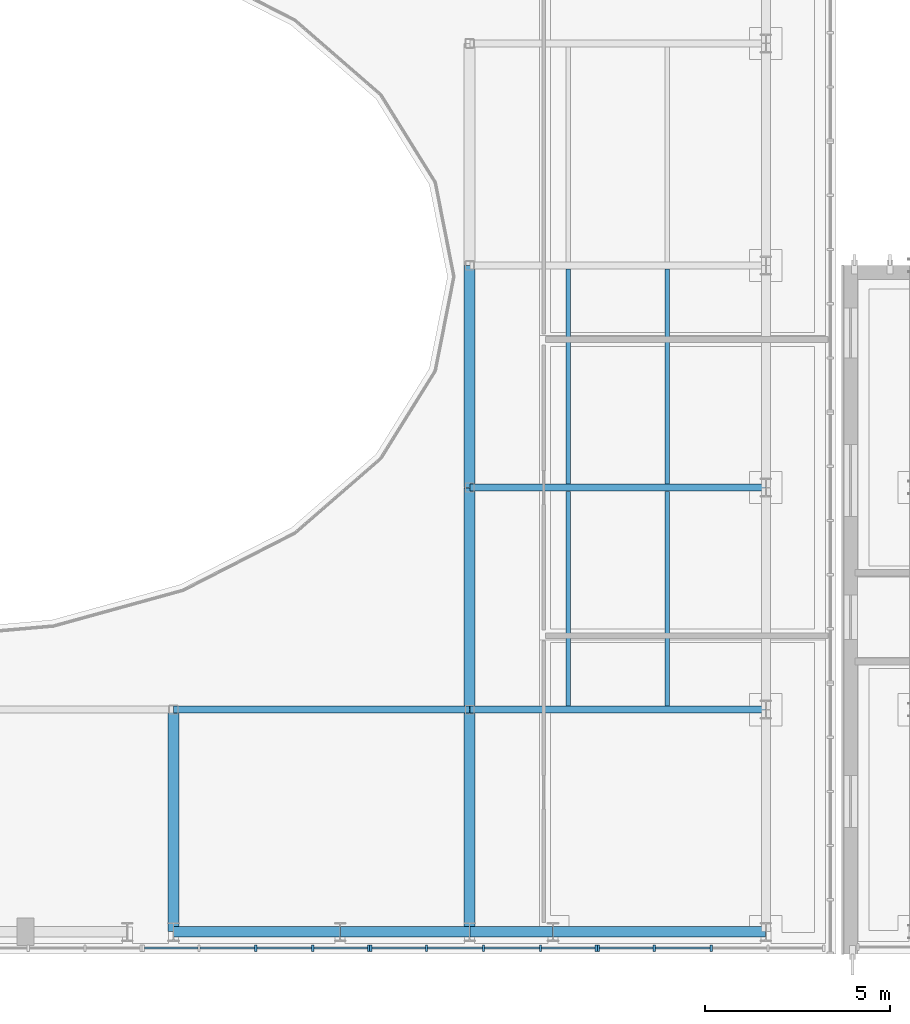
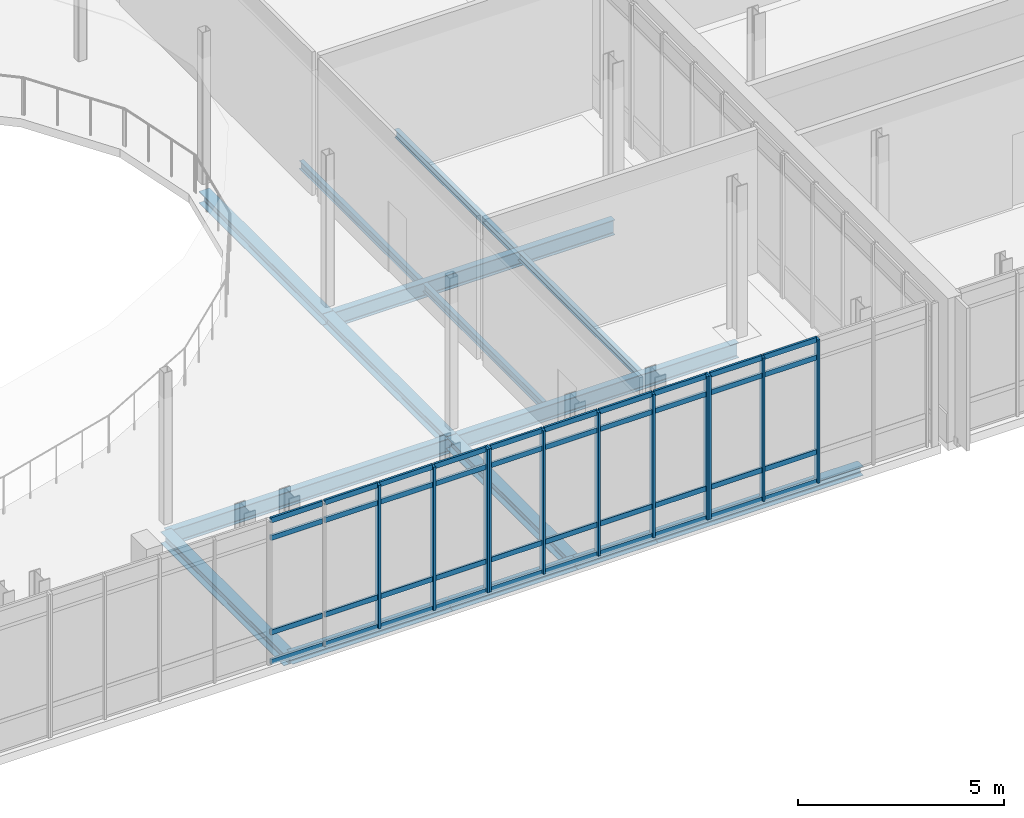
# One storey, part 28 of 100: 51 members, 15 beams, 3 elements without a shape of their own.
"""IFC4 building model written with IfcOpenShell, lengths in metres."""

from ifc_helpers import new_model, si_unit, direction, frame, origin, origin_2d, place, context, subcontext, project, spatial, rectangle, i_section, extrude, material, material_profile, profile_set, type_object, element, aggregate, save


model = new_model("IFC4")

# Units and contexts
model_context = context("Model", 3, precision=1e-05, world=origin(), true_north=direction((0.0, 1.0)))
body_context = subcontext(model_context, "Body", "Model", "MODEL_VIEW")
ifc_project = project(units=[si_unit("LENGTHUNIT", "METRE"), si_unit("AREAUNIT", "SQUARE_METRE"), si_unit("VOLUMEUNIT", "CUBIC_METRE"), si_unit("PLANEANGLEUNIT", "RADIAN"), si_unit("MASSUNIT", "GRAM", prefix="KILO")], contexts=[model_context])

# Site, building, storey
site_placement = place(None, origin())
site = spatial("IfcSite", under=ifc_project, at=site_placement, CompositionType="ELEMENT")
building_placement = place(site_placement, origin())
building = spatial("IfcBuilding", under=site, at=building_placement, Name="Cymarion Research Institute", CompositionType="ELEMENT")
storey_placement = place(building_placement, frame((0.0, 0.0, 9.300048828125)))
storey = spatial("IfcBuildingStorey", under=building, at=storey_placement, Name="L02", CompositionType="ELEMENT", Elevation=9.300048828125)

# Curtain wall, members
ifc_material_1 = material(Name="Anodised aluminium unitised curtain wall with Low-E glazing", Category="aluminium")
curtain_wall_type = type_object("IfcCurtainWallType", Name="UNITISED CURTAIN WALL CW07 6150X4250", PredefinedType="NOTDEFINED", material=ifc_material_1)
curtain_wall_1_placement = place(storey_placement, origin())
curtain_wall_1 = element("IfcCurtainWall", 1, at=curtain_wall_1_placement, inside=storey, type_object=curtain_wall_type, Name="L02 V2 unitised curtain wall CW07 #75", PredefinedType="NOTDEFINED")
ifc_material_2 = material(Name="Anodised aluminium framing", Category="aluminium")
ifc_material_profile_1 = material_profile(ifc_material_2, rectangle(XDim=0.06005859375, YDim=0.179931640625, at=origin_2d()), Name="ALU MULLION 60x180")
ifc_profile_set_1 = profile_set([ifc_material_profile_1], Name="Anodised aluminium framing")
member_type_1 = type_object("IfcMemberType", Name="CURTAIN WALL MULLION ML01 60X180", PredefinedType="MULLION", material=ifc_profile_set_1)
member_1_placement = place(storey_placement, frame((88.82421875, 5.06005859375, 0.0), z_axis=(0.0, 0.0, 1.0), x_axis=(1.0, 0.0, 0.0)))
member_1 = element("IfcMember", 2, at=member_1_placement, type_object=member_type_1, Name="CW07 mullion 3", PredefinedType="MULLION", context=body_context, shape_type="SweptSolid", body=[
    extrude(rectangle(XDim=0.06005859375, YDim=0.179931640625, at=origin_2d()), origin(), (0.0, 0.0, 1.0), 4.25),
])
member_2_placement = place(storey_placement, frame((90.361572265625, 5.06005859375, 0.0), z_axis=(0.0, 0.0, 1.0), x_axis=(1.0, 0.0, 0.0)))
member_2 = element("IfcMember", 3, at=member_2_placement, type_object=member_type_1, Name="CW07 mullion 4", PredefinedType="MULLION", context=body_context, shape_type="SweptSolid", body=[
    extrude(rectangle(XDim=0.06005859375, YDim=0.179931640625, at=origin_2d()), origin(), (0.0, 0.0, 1.0), 4.25),
])
member_3_placement = place(storey_placement, frame((91.868896484375, 5.06005859375, 0.0), z_axis=(0.0, 0.0, 1.0), x_axis=(1.0, 0.0, 0.0)))
member_3 = element("IfcMember", 4, at=member_3_placement, type_object=member_type_1, Name="CW07 mullion 5", PredefinedType="MULLION", context=body_context, shape_type="SweptSolid", body=[
    extrude(rectangle(XDim=0.06005859375, YDim=0.179931640625, at=origin_2d()), origin(), (0.0, 0.0, 1.0), 4.25),
])

curtain_wall_2_placement = place(storey_placement, origin())
curtain_wall_2 = element("IfcCurtainWall", 5, at=curtain_wall_2_placement, inside=storey, type_object=curtain_wall_type, Name="L02 V2 unitised curtain wall CW07 #76", PredefinedType="NOTDEFINED")
member_4_placement = place(storey_placement, frame((91.928955078125, 5.06005859375, 0.0), z_axis=(0.0, 0.0, 1.0), x_axis=(1.0, 0.0, 0.0)))
member_4 = element("IfcMember", 6, at=member_4_placement, type_object=member_type_1, Name="CW07 mullion 1", PredefinedType="MULLION", context=body_context, shape_type="SweptSolid", body=[
    extrude(rectangle(XDim=0.06005859375, YDim=0.179931640625, at=origin_2d()), origin(), (0.0, 0.0, 1.0), 4.25),
])
member_5_placement = place(storey_placement, frame((93.436279296875, 5.06005859375, 0.0), z_axis=(0.0, 0.0, 1.0), x_axis=(1.0, 0.0, 0.0)))
member_5 = element("IfcMember", 7, at=member_5_placement, type_object=member_type_1, Name="CW07 mullion 2", PredefinedType="MULLION", context=body_context, shape_type="SweptSolid", body=[
    extrude(rectangle(XDim=0.06005859375, YDim=0.179931640625, at=origin_2d()), origin(), (0.0, 0.0, 1.0), 4.25),
])
member_6_placement = place(storey_placement, frame((94.9736328125, 5.06005859375, 0.0), z_axis=(0.0, 0.0, 1.0), x_axis=(1.0, 0.0, 0.0)))
member_6 = element("IfcMember", 8, at=member_6_placement, type_object=member_type_1, Name="CW07 mullion 3", PredefinedType="MULLION", context=body_context, shape_type="SweptSolid", body=[
    extrude(rectangle(XDim=0.06005859375, YDim=0.179931640625, at=origin_2d()), origin(), (0.0, 0.0, 1.0), 4.25),
])
member_7_placement = place(storey_placement, frame((96.51123046875, 5.06005859375, 0.0), z_axis=(0.0, 0.0, 1.0), x_axis=(1.0, 0.0, 0.0)))
member_7 = element("IfcMember", 9, at=member_7_placement, type_object=member_type_1, Name="CW07 mullion 4", PredefinedType="MULLION", context=body_context, shape_type="SweptSolid", body=[
    extrude(rectangle(XDim=0.06005859375, YDim=0.179931640625, at=origin_2d()), origin(), (0.0, 0.0, 1.0), 4.25),
])
member_8_placement = place(storey_placement, frame((98.0185546875, 5.06005859375, 0.0), z_axis=(0.0, 0.0, 1.0), x_axis=(1.0, 0.0, 0.0)))
member_8 = element("IfcMember", 10, at=member_8_placement, type_object=member_type_1, Name="CW07 mullion 5", PredefinedType="MULLION", context=body_context, shape_type="SweptSolid", body=[
    extrude(rectangle(XDim=0.06005859375, YDim=0.179931640625, at=origin_2d()), origin(), (0.0, 0.0, 1.0), 4.25),
])

curtain_wall_3_placement = place(storey_placement, origin())
curtain_wall_3 = element("IfcCurtainWall", 11, at=curtain_wall_3_placement, inside=storey, type_object=curtain_wall_type, Name="L02 V2 unitised curtain wall CW07 #77", PredefinedType="NOTDEFINED")
member_9_placement = place(storey_placement, frame((98.07861328125, 5.06005859375, 0.0), z_axis=(0.0, 0.0, 1.0), x_axis=(1.0, 0.0, 0.0)))
member_9 = element("IfcMember", 12, at=member_9_placement, type_object=member_type_1, Name="CW07 mullion 1", PredefinedType="MULLION", context=body_context, shape_type="SweptSolid", body=[
    extrude(rectangle(XDim=0.06005859375, YDim=0.179931640625, at=origin_2d()), origin(), (0.0, 0.0, 1.0), 4.25),
])
member_10_placement = place(storey_placement, frame((99.5859375, 5.06005859375, 0.0), z_axis=(0.0, 0.0, 1.0), x_axis=(1.0, 0.0, 0.0)))
member_10 = element("IfcMember", 13, at=member_10_placement, type_object=member_type_1, Name="CW07 mullion 2", PredefinedType="MULLION", context=body_context, shape_type="SweptSolid", body=[
    extrude(rectangle(XDim=0.06005859375, YDim=0.179931640625, at=origin_2d()), origin(), (0.0, 0.0, 1.0), 4.25),
])
member_11_placement = place(storey_placement, frame((101.123291015625, 5.06005859375, 0.0), z_axis=(0.0, 0.0, 1.0), x_axis=(1.0, 0.0, 0.0)))
member_11 = element("IfcMember", 14, at=member_11_placement, type_object=member_type_1, Name="CW07 mullion 3", PredefinedType="MULLION", context=body_context, shape_type="SweptSolid", body=[
    extrude(rectangle(XDim=0.06005859375, YDim=0.179931640625, at=origin_2d()), origin(), (0.0, 0.0, 1.0), 4.25),
])

# Member
ifc_material_profile_2 = material_profile(ifc_material_2, rectangle(XDim=0.06005859375, YDim=0.14990234375, at=origin_2d()), Name="ALU TRANSOM 60x150")
ifc_profile_set_2 = profile_set([ifc_material_profile_2], Name="Anodised aluminium framing")
member_type_2 = type_object("IfcMemberType", Name="CURTAIN WALL TRANSOM TR01 60X150", PredefinedType="USERDEFINED", material=ifc_profile_set_2)
member_12_placement = place(storey_placement, frame((85.8095703125, 5.06005859375, 0.030029296875), z_axis=(1.0, 0.0, 0.0), x_axis=(0.0, 1.0, 0.0)))
member_12 = element("IfcMember", 15, at=member_12_placement, type_object=member_type_2, Name="CW07 transom 1.1", ObjectType="TRANSOM", PredefinedType="USERDEFINED", context=body_context, shape_type="SweptSolid", body=[
    extrude(rectangle(XDim=0.06005859375, YDim=0.14990234375, at=origin_2d()), origin(), (0.0, 0.0, 1.0), 1.447265625),
])

member_13_placement = place(storey_placement, frame((85.8095703125, 5.06005859375, 0.89990234375), z_axis=(1.0, 0.0, 0.0), x_axis=(0.0, 1.0, 0.0)))
member_13 = element("IfcMember", 16, at=member_13_placement, type_object=member_type_2, Name="CW07 transom 1.2", ObjectType="TRANSOM", PredefinedType="USERDEFINED", context=body_context, shape_type="SweptSolid", body=[
    extrude(rectangle(XDim=0.06005859375, YDim=0.14990234375, at=origin_2d()), origin(), (0.0, 0.0, 1.0), 1.447265625),
])

member_14_placement = place(storey_placement, frame((85.8095703125, 5.06005859375, 3.699951171875), z_axis=(1.0, 0.0, 0.0), x_axis=(0.0, 1.0, 0.0)))
member_14 = element("IfcMember", 17, at=member_14_placement, type_object=member_type_2, Name="CW07 transom 1.3", ObjectType="TRANSOM", PredefinedType="USERDEFINED", context=body_context, shape_type="SweptSolid", body=[
    extrude(rectangle(XDim=0.06005859375, YDim=0.14990234375, at=origin_2d()), origin(), (0.0, 0.0, 1.0), 1.447265625),
])

member_15_placement = place(storey_placement, frame((85.8095703125, 5.06005859375, 4.219970703125), z_axis=(1.0, 0.0, 0.0), x_axis=(0.0, 1.0, 0.0)))
member_15 = element("IfcMember", 18, at=member_15_placement, type_object=member_type_2, Name="CW07 transom 1.4", ObjectType="TRANSOM", PredefinedType="USERDEFINED", context=body_context, shape_type="SweptSolid", body=[
    extrude(rectangle(XDim=0.06005859375, YDim=0.14990234375, at=origin_2d()), origin(), (0.0, 0.0, 1.0), 1.447265625),
])

member_16_placement = place(storey_placement, frame((87.31689453125, 5.06005859375, 0.030029296875), z_axis=(1.0, 0.0, 0.0), x_axis=(0.0, 1.0, 0.0)))
member_16 = element("IfcMember", 19, at=member_16_placement, type_object=member_type_2, Name="CW07 transom 2.1", ObjectType="TRANSOM", PredefinedType="USERDEFINED", context=body_context, shape_type="SweptSolid", body=[
    extrude(rectangle(XDim=0.06005859375, YDim=0.14990234375, at=origin_2d()), origin(), (0.0, 0.0, 1.0), 1.477294921875),
])

member_17_placement = place(storey_placement, frame((87.31689453125, 5.06005859375, 0.89990234375), z_axis=(1.0, 0.0, 0.0), x_axis=(0.0, 1.0, 0.0)))
member_17 = element("IfcMember", 20, at=member_17_placement, type_object=member_type_2, Name="CW07 transom 2.2", ObjectType="TRANSOM", PredefinedType="USERDEFINED", context=body_context, shape_type="SweptSolid", body=[
    extrude(rectangle(XDim=0.06005859375, YDim=0.14990234375, at=origin_2d()), origin(), (0.0, 0.0, 1.0), 1.477294921875),
])

member_18_placement = place(storey_placement, frame((87.31689453125, 5.06005859375, 3.699951171875), z_axis=(1.0, 0.0, 0.0), x_axis=(0.0, 1.0, 0.0)))
member_18 = element("IfcMember", 21, at=member_18_placement, type_object=member_type_2, Name="CW07 transom 2.3", ObjectType="TRANSOM", PredefinedType="USERDEFINED", context=body_context, shape_type="SweptSolid", body=[
    extrude(rectangle(XDim=0.06005859375, YDim=0.14990234375, at=origin_2d()), origin(), (0.0, 0.0, 1.0), 1.477294921875),
])

member_19_placement = place(storey_placement, frame((87.31689453125, 5.06005859375, 4.219970703125), z_axis=(1.0, 0.0, 0.0), x_axis=(0.0, 1.0, 0.0)))
member_19 = element("IfcMember", 22, at=member_19_placement, type_object=member_type_2, Name="CW07 transom 2.4", ObjectType="TRANSOM", PredefinedType="USERDEFINED", context=body_context, shape_type="SweptSolid", body=[
    extrude(rectangle(XDim=0.06005859375, YDim=0.14990234375, at=origin_2d()), origin(), (0.0, 0.0, 1.0), 1.477294921875),
])

member_20_placement = place(storey_placement, frame((88.854248046875, 5.06005859375, 0.030029296875), z_axis=(1.0, 0.0, 0.0), x_axis=(0.0, 1.0, 0.0)))
member_20 = element("IfcMember", 23, at=member_20_placement, type_object=member_type_2, Name="CW07 transom 3.1", ObjectType="TRANSOM", PredefinedType="USERDEFINED", context=body_context, shape_type="SweptSolid", body=[
    extrude(rectangle(XDim=0.06005859375, YDim=0.14990234375, at=origin_2d()), origin(), (0.0, 0.0, 1.0), 1.477294921875),
])

member_21_placement = place(storey_placement, frame((88.854248046875, 5.06005859375, 0.89990234375), z_axis=(1.0, 0.0, 0.0), x_axis=(0.0, 1.0, 0.0)))
member_21 = element("IfcMember", 24, at=member_21_placement, type_object=member_type_2, Name="CW07 transom 3.2", ObjectType="TRANSOM", PredefinedType="USERDEFINED", context=body_context, shape_type="SweptSolid", body=[
    extrude(rectangle(XDim=0.06005859375, YDim=0.14990234375, at=origin_2d()), origin(), (0.0, 0.0, 1.0), 1.477294921875),
])

member_22_placement = place(storey_placement, frame((88.854248046875, 5.06005859375, 3.699951171875), z_axis=(1.0, 0.0, 0.0), x_axis=(0.0, 1.0, 0.0)))
member_22 = element("IfcMember", 25, at=member_22_placement, type_object=member_type_2, Name="CW07 transom 3.3", ObjectType="TRANSOM", PredefinedType="USERDEFINED", context=body_context, shape_type="SweptSolid", body=[
    extrude(rectangle(XDim=0.06005859375, YDim=0.14990234375, at=origin_2d()), origin(), (0.0, 0.0, 1.0), 1.477294921875),
])

member_23_placement = place(storey_placement, frame((88.854248046875, 5.06005859375, 4.219970703125), z_axis=(1.0, 0.0, 0.0), x_axis=(0.0, 1.0, 0.0)))
member_23 = element("IfcMember", 26, at=member_23_placement, type_object=member_type_2, Name="CW07 transom 3.4", ObjectType="TRANSOM", PredefinedType="USERDEFINED", context=body_context, shape_type="SweptSolid", body=[
    extrude(rectangle(XDim=0.06005859375, YDim=0.14990234375, at=origin_2d()), origin(), (0.0, 0.0, 1.0), 1.477294921875),
])

member_24_placement = place(storey_placement, frame((90.3916015625, 5.06005859375, 0.030029296875), z_axis=(1.0, 0.0, 0.0), x_axis=(0.0, 1.0, 0.0)))
member_24 = element("IfcMember", 27, at=member_24_placement, type_object=member_type_2, Name="CW07 transom 4.1", ObjectType="TRANSOM", PredefinedType="USERDEFINED", context=body_context, shape_type="SweptSolid", body=[
    extrude(rectangle(XDim=0.06005859375, YDim=0.14990234375, at=origin_2d()), origin(), (0.0, 0.0, 1.0), 1.447509765625),
])

member_25_placement = place(storey_placement, frame((90.3916015625, 5.06005859375, 0.89990234375), z_axis=(1.0, 0.0, 0.0), x_axis=(0.0, 1.0, 0.0)))
member_25 = element("IfcMember", 28, at=member_25_placement, type_object=member_type_2, Name="CW07 transom 4.2", ObjectType="TRANSOM", PredefinedType="USERDEFINED", context=body_context, shape_type="SweptSolid", body=[
    extrude(rectangle(XDim=0.06005859375, YDim=0.14990234375, at=origin_2d()), origin(), (0.0, 0.0, 1.0), 1.447509765625),
])

member_26_placement = place(storey_placement, frame((90.3916015625, 5.06005859375, 3.699951171875), z_axis=(1.0, 0.0, 0.0), x_axis=(0.0, 1.0, 0.0)))
member_26 = element("IfcMember", 29, at=member_26_placement, type_object=member_type_2, Name="CW07 transom 4.3", ObjectType="TRANSOM", PredefinedType="USERDEFINED", context=body_context, shape_type="SweptSolid", body=[
    extrude(rectangle(XDim=0.06005859375, YDim=0.14990234375, at=origin_2d()), origin(), (0.0, 0.0, 1.0), 1.447509765625),
])

member_27_placement = place(storey_placement, frame((90.3916015625, 5.06005859375, 4.219970703125), z_axis=(1.0, 0.0, 0.0), x_axis=(0.0, 1.0, 0.0)))
member_27 = element("IfcMember", 30, at=member_27_placement, type_object=member_type_2, Name="CW07 transom 4.4", ObjectType="TRANSOM", PredefinedType="USERDEFINED", context=body_context, shape_type="SweptSolid", body=[
    extrude(rectangle(XDim=0.06005859375, YDim=0.14990234375, at=origin_2d()), origin(), (0.0, 0.0, 1.0), 1.447509765625),
])

aggregate(curtain_wall_1, [member_1, member_2, member_3, member_12, member_13, member_14, member_15, member_16, member_17, member_18, member_19, member_20, member_21, member_22, member_23, member_24, member_25, member_26, member_27])

member_28_placement = place(storey_placement, frame((91.958984375, 5.06005859375, 0.030029296875), z_axis=(1.0, 0.0, 0.0), x_axis=(0.0, 1.0, 0.0)))
member_28 = element("IfcMember", 31, at=member_28_placement, type_object=member_type_2, Name="CW07 transom 1.1", ObjectType="TRANSOM", PredefinedType="USERDEFINED", context=body_context, shape_type="SweptSolid", body=[
    extrude(rectangle(XDim=0.06005859375, YDim=0.14990234375, at=origin_2d()), origin(), (0.0, 0.0, 1.0), 1.447509765625),
])

member_29_placement = place(storey_placement, frame((91.958984375, 5.06005859375, 0.89990234375), z_axis=(1.0, 0.0, 0.0), x_axis=(0.0, 1.0, 0.0)))
member_29 = element("IfcMember", 32, at=member_29_placement, type_object=member_type_2, Name="CW07 transom 1.2", ObjectType="TRANSOM", PredefinedType="USERDEFINED", context=body_context, shape_type="SweptSolid", body=[
    extrude(rectangle(XDim=0.06005859375, YDim=0.14990234375, at=origin_2d()), origin(), (0.0, 0.0, 1.0), 1.447509765625),
])

member_30_placement = place(storey_placement, frame((91.958984375, 5.06005859375, 3.699951171875), z_axis=(1.0, 0.0, 0.0), x_axis=(0.0, 1.0, 0.0)))
member_30 = element("IfcMember", 33, at=member_30_placement, type_object=member_type_2, Name="CW07 transom 1.3", ObjectType="TRANSOM", PredefinedType="USERDEFINED", context=body_context, shape_type="SweptSolid", body=[
    extrude(rectangle(XDim=0.06005859375, YDim=0.14990234375, at=origin_2d()), origin(), (0.0, 0.0, 1.0), 1.447509765625),
])

member_31_placement = place(storey_placement, frame((91.958984375, 5.06005859375, 4.219970703125), z_axis=(1.0, 0.0, 0.0), x_axis=(0.0, 1.0, 0.0)))
member_31 = element("IfcMember", 34, at=member_31_placement, type_object=member_type_2, Name="CW07 transom 1.4", ObjectType="TRANSOM", PredefinedType="USERDEFINED", context=body_context, shape_type="SweptSolid", body=[
    extrude(rectangle(XDim=0.06005859375, YDim=0.14990234375, at=origin_2d()), origin(), (0.0, 0.0, 1.0), 1.447509765625),
])

member_32_placement = place(storey_placement, frame((93.46630859375, 5.06005859375, 0.030029296875), z_axis=(1.0, 0.0, 0.0), x_axis=(0.0, 1.0, 0.0)))
member_32 = element("IfcMember", 35, at=member_32_placement, type_object=member_type_2, Name="CW07 transom 2.1", ObjectType="TRANSOM", PredefinedType="USERDEFINED", context=body_context, shape_type="SweptSolid", body=[
    extrude(rectangle(XDim=0.06005859375, YDim=0.14990234375, at=origin_2d()), origin(), (0.0, 0.0, 1.0), 1.4775390625),
])

member_33_placement = place(storey_placement, frame((93.46630859375, 5.06005859375, 0.89990234375), z_axis=(1.0, 0.0, 0.0), x_axis=(0.0, 1.0, 0.0)))
member_33 = element("IfcMember", 36, at=member_33_placement, type_object=member_type_2, Name="CW07 transom 2.2", ObjectType="TRANSOM", PredefinedType="USERDEFINED", context=body_context, shape_type="SweptSolid", body=[
    extrude(rectangle(XDim=0.06005859375, YDim=0.14990234375, at=origin_2d()), origin(), (0.0, 0.0, 1.0), 1.4775390625),
])

member_34_placement = place(storey_placement, frame((93.46630859375, 5.06005859375, 3.699951171875), z_axis=(1.0, 0.0, 0.0), x_axis=(0.0, 1.0, 0.0)))
member_34 = element("IfcMember", 37, at=member_34_placement, type_object=member_type_2, Name="CW07 transom 2.3", ObjectType="TRANSOM", PredefinedType="USERDEFINED", context=body_context, shape_type="SweptSolid", body=[
    extrude(rectangle(XDim=0.06005859375, YDim=0.14990234375, at=origin_2d()), origin(), (0.0, 0.0, 1.0), 1.4775390625),
])

member_35_placement = place(storey_placement, frame((93.46630859375, 5.06005859375, 4.219970703125), z_axis=(1.0, 0.0, 0.0), x_axis=(0.0, 1.0, 0.0)))
member_35 = element("IfcMember", 38, at=member_35_placement, type_object=member_type_2, Name="CW07 transom 2.4", ObjectType="TRANSOM", PredefinedType="USERDEFINED", context=body_context, shape_type="SweptSolid", body=[
    extrude(rectangle(XDim=0.06005859375, YDim=0.14990234375, at=origin_2d()), origin(), (0.0, 0.0, 1.0), 1.4775390625),
])

member_36_placement = place(storey_placement, frame((95.003662109375, 5.06005859375, 0.030029296875), z_axis=(1.0, 0.0, 0.0), x_axis=(0.0, 1.0, 0.0)))
member_36 = element("IfcMember", 39, at=member_36_placement, type_object=member_type_2, Name="CW07 transom 3.1", ObjectType="TRANSOM", PredefinedType="USERDEFINED", context=body_context, shape_type="SweptSolid", body=[
    extrude(rectangle(XDim=0.06005859375, YDim=0.14990234375, at=origin_2d()), origin(), (0.0, 0.0, 1.0), 1.4775390625),
])

member_37_placement = place(storey_placement, frame((95.003662109375, 5.06005859375, 0.89990234375), z_axis=(1.0, 0.0, 0.0), x_axis=(0.0, 1.0, 0.0)))
member_37 = element("IfcMember", 40, at=member_37_placement, type_object=member_type_2, Name="CW07 transom 3.2", ObjectType="TRANSOM", PredefinedType="USERDEFINED", context=body_context, shape_type="SweptSolid", body=[
    extrude(rectangle(XDim=0.06005859375, YDim=0.14990234375, at=origin_2d()), origin(), (0.0, 0.0, 1.0), 1.4775390625),
])

member_38_placement = place(storey_placement, frame((95.003662109375, 5.06005859375, 3.699951171875), z_axis=(1.0, 0.0, 0.0), x_axis=(0.0, 1.0, 0.0)))
member_38 = element("IfcMember", 41, at=member_38_placement, type_object=member_type_2, Name="CW07 transom 3.3", ObjectType="TRANSOM", PredefinedType="USERDEFINED", context=body_context, shape_type="SweptSolid", body=[
    extrude(rectangle(XDim=0.06005859375, YDim=0.14990234375, at=origin_2d()), origin(), (0.0, 0.0, 1.0), 1.4775390625),
])

member_39_placement = place(storey_placement, frame((95.003662109375, 5.06005859375, 4.219970703125), z_axis=(1.0, 0.0, 0.0), x_axis=(0.0, 1.0, 0.0)))
member_39 = element("IfcMember", 42, at=member_39_placement, type_object=member_type_2, Name="CW07 transom 3.4", ObjectType="TRANSOM", PredefinedType="USERDEFINED", context=body_context, shape_type="SweptSolid", body=[
    extrude(rectangle(XDim=0.06005859375, YDim=0.14990234375, at=origin_2d()), origin(), (0.0, 0.0, 1.0), 1.4775390625),
])

member_40_placement = place(storey_placement, frame((96.541015625, 5.06005859375, 0.030029296875), z_axis=(1.0, 0.0, 0.0), x_axis=(0.0, 1.0, 0.0)))
member_40 = element("IfcMember", 43, at=member_40_placement, type_object=member_type_2, Name="CW07 transom 4.1", ObjectType="TRANSOM", PredefinedType="USERDEFINED", context=body_context, shape_type="SweptSolid", body=[
    extrude(rectangle(XDim=0.06005859375, YDim=0.14990234375, at=origin_2d()), origin(), (0.0, 0.0, 1.0), 1.447509765625),
])

member_41_placement = place(storey_placement, frame((96.541015625, 5.06005859375, 0.89990234375), z_axis=(1.0, 0.0, 0.0), x_axis=(0.0, 1.0, 0.0)))
member_41 = element("IfcMember", 44, at=member_41_placement, type_object=member_type_2, Name="CW07 transom 4.2", ObjectType="TRANSOM", PredefinedType="USERDEFINED", context=body_context, shape_type="SweptSolid", body=[
    extrude(rectangle(XDim=0.06005859375, YDim=0.14990234375, at=origin_2d()), origin(), (0.0, 0.0, 1.0), 1.447509765625),
])

member_42_placement = place(storey_placement, frame((96.541015625, 5.06005859375, 3.699951171875), z_axis=(1.0, 0.0, 0.0), x_axis=(0.0, 1.0, 0.0)))
member_42 = element("IfcMember", 45, at=member_42_placement, type_object=member_type_2, Name="CW07 transom 4.3", ObjectType="TRANSOM", PredefinedType="USERDEFINED", context=body_context, shape_type="SweptSolid", body=[
    extrude(rectangle(XDim=0.06005859375, YDim=0.14990234375, at=origin_2d()), origin(), (0.0, 0.0, 1.0), 1.447509765625),
])

member_43_placement = place(storey_placement, frame((96.541015625, 5.06005859375, 4.219970703125), z_axis=(1.0, 0.0, 0.0), x_axis=(0.0, 1.0, 0.0)))
member_43 = element("IfcMember", 46, at=member_43_placement, type_object=member_type_2, Name="CW07 transom 4.4", ObjectType="TRANSOM", PredefinedType="USERDEFINED", context=body_context, shape_type="SweptSolid", body=[
    extrude(rectangle(XDim=0.06005859375, YDim=0.14990234375, at=origin_2d()), origin(), (0.0, 0.0, 1.0), 1.447509765625),
])

aggregate(curtain_wall_2, [member_4, member_5, member_6, member_7, member_8, member_28, member_29, member_30, member_31, member_32, member_33, member_34, member_35, member_36, member_37, member_38, member_39, member_40, member_41, member_42, member_43])

member_44_placement = place(storey_placement, frame((98.1083984375, 5.06005859375, 0.030029296875), z_axis=(1.0, 0.0, 0.0), x_axis=(0.0, 1.0, 0.0)))
member_44 = element("IfcMember", 47, at=member_44_placement, type_object=member_type_2, Name="CW07 transom 1.1", ObjectType="TRANSOM", PredefinedType="USERDEFINED", context=body_context, shape_type="SweptSolid", body=[
    extrude(rectangle(XDim=0.06005859375, YDim=0.14990234375, at=origin_2d()), origin(), (0.0, 0.0, 1.0), 1.447509765625),
])

member_45_placement = place(storey_placement, frame((98.1083984375, 5.06005859375, 0.89990234375), z_axis=(1.0, 0.0, 0.0), x_axis=(0.0, 1.0, 0.0)))
member_45 = element("IfcMember", 48, at=member_45_placement, type_object=member_type_2, Name="CW07 transom 1.2", ObjectType="TRANSOM", PredefinedType="USERDEFINED", context=body_context, shape_type="SweptSolid", body=[
    extrude(rectangle(XDim=0.06005859375, YDim=0.14990234375, at=origin_2d()), origin(), (0.0, 0.0, 1.0), 1.447509765625),
])

member_46_placement = place(storey_placement, frame((98.1083984375, 5.06005859375, 3.699951171875), z_axis=(1.0, 0.0, 0.0), x_axis=(0.0, 1.0, 0.0)))
member_46 = element("IfcMember", 49, at=member_46_placement, type_object=member_type_2, Name="CW07 transom 1.3", ObjectType="TRANSOM", PredefinedType="USERDEFINED", context=body_context, shape_type="SweptSolid", body=[
    extrude(rectangle(XDim=0.06005859375, YDim=0.14990234375, at=origin_2d()), origin(), (0.0, 0.0, 1.0), 1.447509765625),
])

member_47_placement = place(storey_placement, frame((98.1083984375, 5.06005859375, 4.219970703125), z_axis=(1.0, 0.0, 0.0), x_axis=(0.0, 1.0, 0.0)))
member_47 = element("IfcMember", 50, at=member_47_placement, type_object=member_type_2, Name="CW07 transom 1.4", ObjectType="TRANSOM", PredefinedType="USERDEFINED", context=body_context, shape_type="SweptSolid", body=[
    extrude(rectangle(XDim=0.06005859375, YDim=0.14990234375, at=origin_2d()), origin(), (0.0, 0.0, 1.0), 1.447509765625),
])

member_48_placement = place(storey_placement, frame((99.615966796875, 5.06005859375, 0.030029296875), z_axis=(1.0, 0.0, 0.0), x_axis=(0.0, 1.0, 0.0)))
member_48 = element("IfcMember", 51, at=member_48_placement, type_object=member_type_2, Name="CW07 transom 2.1", ObjectType="TRANSOM", PredefinedType="USERDEFINED", context=body_context, shape_type="SweptSolid", body=[
    extrude(rectangle(XDim=0.06005859375, YDim=0.14990234375, at=origin_2d()), origin(), (0.0, 0.0, 1.0), 1.477294921875),
])

member_49_placement = place(storey_placement, frame((99.615966796875, 5.06005859375, 0.89990234375), z_axis=(1.0, 0.0, 0.0), x_axis=(0.0, 1.0, 0.0)))
member_49 = element("IfcMember", 52, at=member_49_placement, type_object=member_type_2, Name="CW07 transom 2.2", ObjectType="TRANSOM", PredefinedType="USERDEFINED", context=body_context, shape_type="SweptSolid", body=[
    extrude(rectangle(XDim=0.06005859375, YDim=0.14990234375, at=origin_2d()), origin(), (0.0, 0.0, 1.0), 1.477294921875),
])

member_50_placement = place(storey_placement, frame((99.615966796875, 5.06005859375, 3.699951171875), z_axis=(1.0, 0.0, 0.0), x_axis=(0.0, 1.0, 0.0)))
member_50 = element("IfcMember", 53, at=member_50_placement, type_object=member_type_2, Name="CW07 transom 2.3", ObjectType="TRANSOM", PredefinedType="USERDEFINED", context=body_context, shape_type="SweptSolid", body=[
    extrude(rectangle(XDim=0.06005859375, YDim=0.14990234375, at=origin_2d()), origin(), (0.0, 0.0, 1.0), 1.477294921875),
])

member_51_placement = place(storey_placement, frame((99.615966796875, 5.06005859375, 4.219970703125), z_axis=(1.0, 0.0, 0.0), x_axis=(0.0, 1.0, 0.0)))
member_51 = element("IfcMember", 54, at=member_51_placement, type_object=member_type_2, Name="CW07 transom 2.4", ObjectType="TRANSOM", PredefinedType="USERDEFINED", context=body_context, shape_type="SweptSolid", body=[
    extrude(rectangle(XDim=0.06005859375, YDim=0.14990234375, at=origin_2d()), origin(), (0.0, 0.0, 1.0), 1.477294921875),
])

aggregate(curtain_wall_3, [member_9, member_10, member_11, member_44, member_45, member_46, member_47, member_48, member_49, member_50, member_51])

# Beams
ifc_material_3 = material(Name="Steel S355", Category="steel")
ifc_material_profile_3 = material_profile(ifc_material_3, i_section(OverallWidth=0.18994140625, OverallDepth=0.449951171875, WebThickness=0.009521484375, FlangeThickness=0.0146484375, FilletRadius=0.02099609375, at=origin_2d()), Name="IPE 450")
ifc_profile_set_3 = profile_set([ifc_material_profile_3], Name="Steel S355")
beam_type_1 = type_object("IfcBeamType", Name="PRIMARY GIRDER BM04 IPE 450", PredefinedType="BEAM", material=ifc_profile_set_3)
for number, where, z_axis, x_axis, name in (
    (55, (86.60595703125, 11.5, -0.47509765625), (1.0, 0.0, 0.0), (0.0, 1.0, 0.0), "L02 V2 girder BM04 #885"),
    (56, (94.60595703125, 11.5, -0.47509765625), (1.0, 0.0, 0.0), (0.0, 1.0, 0.0), "L02 V2 girder BM04 #886"),
    (57, (94.60595703125, 17.5, -0.47509765625), (1.0, 0.0, 0.0), (0.0, 1.0, 0.0), "L02 V2 girder BM04 #888"),
):
    element("IfcBeam", number, at=place(storey_placement, frame(where, z_axis=z_axis, x_axis=x_axis)), inside=storey, type_object=beam_type_1, Name=name, PredefinedType="BEAM", context=body_context, shape_type="SweptSolid", body=[
        extrude(i_section(OverallWidth=0.18994140625, OverallDepth=0.449951171875, WebThickness=0.009521484375, FlangeThickness=0.0146484375, FilletRadius=0.02099609375, at=origin_2d()), origin(), (0.0, 0.0, 1.0), 7.988037109375),
    ])
ifc_material_profile_4 = material_profile(ifc_material_3, i_section(OverallWidth=0.300048828125, OverallDepth=0.35009765625, WebThickness=0.010009765625, FlangeThickness=0.017578125, FilletRadius=0.027099609375, at=origin_2d()), Name="HEA 360")
ifc_profile_set_4 = profile_set([ifc_material_profile_4], Name="Steel S355")
beam_type_2 = type_object("IfcBeamType", Name="PRIMARY GIRDER BM12 HEA 360", PredefinedType="BEAM", material=ifc_profile_set_4)
for number, where, z_axis, x_axis, name in (
    (58, (86.60009765625, 5.506103515625, -0.425048828125), (0.0, 1.0, 0.0), (-1.0, 0.0, 0.0), "L02 V2 girder BM12 #919"),
    (59, (94.60009765625, 5.506103515625, -0.425048828125), (0.0, 1.0, 0.0), (-1.0, 0.0, 0.0), "L02 V2 girder BM12 #920"),
    (60, (94.60009765625, 11.506103515625, -0.425048828125), (0.0, 1.0, 0.0), (-1.0, 0.0, 0.0), "L02 V2 girder BM12 #921"),
    (61, (94.60009765625, 17.506103515625, -0.425048828125), (0.0, 1.0, 0.0), (-1.0, 0.0, 0.0), "L02 V2 girder BM12 #922"),
):
    element("IfcBeam", number, at=place(storey_placement, frame(where, z_axis=z_axis, x_axis=x_axis)), inside=storey, type_object=beam_type_2, Name=name, PredefinedType="BEAM", context=body_context, shape_type="SweptSolid", body=[
        extrude(i_section(OverallWidth=0.300048828125, OverallDepth=0.35009765625, WebThickness=0.010009765625, FlangeThickness=0.017578125, FilletRadius=0.027099609375, at=origin_2d()), origin(), (0.0, 0.0, 1.0), 5.98779296875),
    ])
ifc_material_profile_5 = material_profile(ifc_material_3, i_section(OverallWidth=0.1201171875, OverallDepth=0.239990234375, WebThickness=0.006103515625, FlangeThickness=0.009765625, FilletRadius=0.014892578125, at=origin_2d()), Name="IPE 240")
ifc_profile_set_5 = profile_set([ifc_material_profile_5], Name="Steel S355")
beam_type_3 = type_object("IfcBeamType", Name="SECONDARY JOIST JS04 IPE 240", PredefinedType="JOIST", material=ifc_profile_set_5)
for number, where, z_axis, x_axis, name in (
    (62, (97.2666015625, 11.59912109375, -0.3701171875), (0.0, 1.0, 0.0), (-1.0, 0.0, 0.0), "L02 V2 secondary joist JS04 #931"),
    (63, (99.933349609375, 11.59912109375, -0.3701171875), (0.0, 1.0, 0.0), (-1.0, 0.0, 0.0), "L02 V2 secondary joist JS04 #932"),
    (64, (97.2666015625, 17.59912109375, -0.3701171875), (0.0, 1.0, 0.0), (-1.0, 0.0, 0.0), "L02 V2 secondary joist JS04 #934"),
    (65, (99.933349609375, 17.59912109375, -0.3701171875), (0.0, 1.0, 0.0), (-1.0, 0.0, 0.0), "L02 V2 secondary joist JS04 #935"),
):
    element("IfcBeam", number, at=place(storey_placement, frame(where, z_axis=z_axis, x_axis=x_axis)), inside=storey, type_object=beam_type_3, Name=name, PredefinedType="JOIST", context=body_context, shape_type="SweptSolid", body=[
        extrude(i_section(OverallWidth=0.1201171875, OverallDepth=0.239990234375, WebThickness=0.006103515625, FlangeThickness=0.009765625, FilletRadius=0.014892578125, at=origin_2d()), origin(), (0.0, 0.0, 1.0), 5.8017578125),
    ])
ifc_material_profile_6 = material_profile(ifc_material_3, i_section(OverallWidth=0.280029296875, OverallDepth=0.27001953125, WebThickness=0.008056640625, FlangeThickness=0.012939453125, FilletRadius=0.02392578125, at=origin_2d()), Name="HEA 280")
ifc_profile_set_6 = profile_set([ifc_material_profile_6], Name="Steel S355")
beam_type_4 = type_object("IfcBeamType", Name="SPANDREL BEAM SPB02 HEA 280", PredefinedType="SPANDREL", material=ifc_profile_set_6)
beam_1_placement = place(storey_placement, frame((86.60595703125, 5.5, -0.385009765625), z_axis=(1.0, 0.0, 0.0), x_axis=(0.0, 1.0, 0.0)))
element("IfcBeam", 66, at=beam_1_placement, inside=storey, type_object=beam_type_4, Name="L02 V2 girder SPB02 #877", PredefinedType="SPANDREL", context=body_context, shape_type="SweptSolid", body=[
    extrude(i_section(OverallWidth=0.280029296875, OverallDepth=0.27001953125, WebThickness=0.008056640625, FlangeThickness=0.012939453125, FilletRadius=0.02392578125, at=origin_2d()), origin(), (0.0, 0.0, 1.0), 4.488037109375),
])
beam_2_placement = place(storey_placement, frame((91.10595703125, 5.5, -0.385009765625), z_axis=(1.0, 0.0, 0.0), x_axis=(0.0, 1.0, 0.0)))
element("IfcBeam", 67, at=beam_2_placement, inside=storey, type_object=beam_type_4, Name="L02 V2 girder SPB02 #878", PredefinedType="SPANDREL", context=body_context, shape_type="SweptSolid", body=[
    extrude(i_section(OverallWidth=0.280029296875, OverallDepth=0.27001953125, WebThickness=0.008056640625, FlangeThickness=0.012939453125, FilletRadius=0.02392578125, at=origin_2d()), origin(), (0.0, 0.0, 1.0), 3.488037109375),
])
beam_3_placement = place(storey_placement, frame((94.60595703125, 5.5, -0.385009765625), z_axis=(1.0, 0.0, 0.0), x_axis=(0.0, 1.0, 0.0)))
element("IfcBeam", 68, at=beam_3_placement, inside=storey, type_object=beam_type_4, Name="L02 V2 girder SPB02 #879", PredefinedType="SPANDREL", context=body_context, shape_type="SweptSolid", body=[
    extrude(i_section(OverallWidth=0.280029296875, OverallDepth=0.27001953125, WebThickness=0.008056640625, FlangeThickness=0.012939453125, FilletRadius=0.02392578125, at=origin_2d()), origin(), (0.0, 0.0, 1.0), 2.238037109375),
])
beam_4_placement = place(storey_placement, frame((96.85595703125, 5.5, -0.385009765625), z_axis=(1.0, 0.0, 0.0), x_axis=(0.0, 1.0, 0.0)))
element("IfcBeam", 69, at=beam_4_placement, inside=storey, type_object=beam_type_4, Name="L02 V2 girder SPB02 #880", PredefinedType="SPANDREL", context=body_context, shape_type="SweptSolid", body=[
    extrude(i_section(OverallWidth=0.280029296875, OverallDepth=0.27001953125, WebThickness=0.008056640625, FlangeThickness=0.012939453125, FilletRadius=0.02392578125, at=origin_2d()), origin(), (0.0, 0.0, 1.0), 5.738037109375),
])

save(model, "model.ifc")
